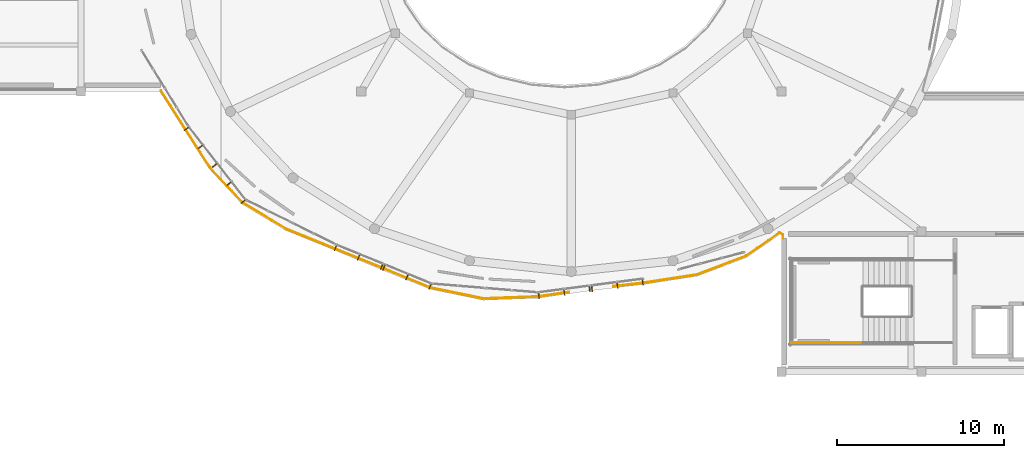
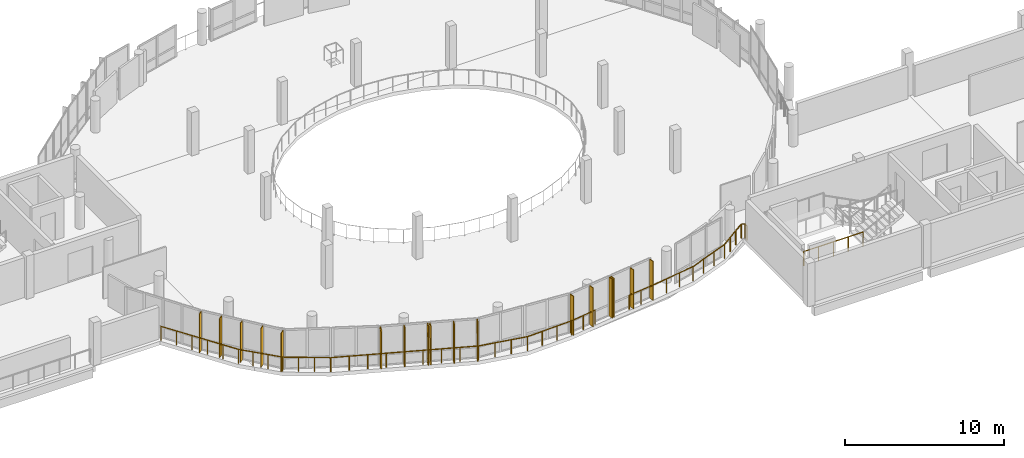
# One storey, part 35 of 43: 17 shading devices, 3 railings.
"""IFC4 building model written with IfcOpenShell, lengths in metres."""

from ifc_helpers import new_model, si_unit, derived_unit, direction, frame, origin, origin_2d, place, context, subcontext, project, spatial, rectangle, circle, extrude, material, type_object, element, save


model = new_model("IFC4")

# Units and contexts
model_context = context("Model", 3, precision=1e-05, world=origin(), true_north=direction((0.0, 1.0)))
body_context = subcontext(model_context, "Body", "Model", "MODEL_VIEW")
ifc_project = project(units=[si_unit("LENGTHUNIT", "METRE"), si_unit("AREAUNIT", "SQUARE_METRE"), si_unit("VOLUMEUNIT", "CUBIC_METRE"), si_unit("PLANEANGLEUNIT", "RADIAN"), si_unit("MASSUNIT", "GRAM", prefix="KILO"), derived_unit("THERMALTRANSMITTANCEUNIT", [(si_unit("POWERUNIT", "WATT"), 1), (si_unit("LENGTHUNIT", "METRE"), -2), (si_unit("THERMODYNAMICTEMPERATUREUNIT", "KELVIN"), -1)])], contexts=[model_context])

# Site, building, storey
site_placement = place(None, origin())
site = spatial("IfcSite", under=ifc_project, at=site_placement, CompositionType="ELEMENT")
building_placement = place(site_placement, origin())
building = spatial("IfcBuilding", under=site, at=building_placement, Name="Elbkamm Science Centre", CompositionType="ELEMENT")
storey_placement = place(building_placement, frame((0.0, 0.0, 18.300048828125)))
storey = spatial("IfcBuildingStorey", under=building, at=storey_placement, Name="L04", CompositionType="ELEMENT", Elevation=18.300048828125)

# Railings
ifc_material_1 = material(Name="Stainless steel EN 1.4401", Category="steel")
railing_type_1 = type_object("IfcRailingType", Name="RAIL-EXT-GUARD-1100", PredefinedType="GUARDRAIL", material=ifc_material_1)
railing_1_placement = place(storey_placement, frame((75.699951171875, 49.97998046875, 0.0)))
element("IfcRailing", 1, at=railing_1_placement, inside=storey, type_object=railing_type_1, Name="L04 Slab Edge Perimeter Guard 108", PredefinedType="GUARDRAIL", context=body_context, shape_type="SweptSolid", body=[
    extrude(circle(Radius=0.02392578125, at=origin_2d()), frame((0.0, 0.0, 1.078125), z_axis=(0.0, 1.0, 0.0), x_axis=(-1.0, 0.0, 0.0)), (0.0, 0.0, 1.0), 0.20556640625),
    extrude(circle(Radius=0.02392578125, at=origin_2d()), frame((-0.026123046875, 0.250244140625, 1.078125), z_axis=(-0.872453378568, 0.488697352382, 0.0), x_axis=(-0.488697352382, -0.872453378568, 0.0)), (0.0, 0.0, 1.0), 0.17724609375),
    extrude(circle(Radius=0.02392578125, at=origin_2d()), frame((-0.231689453125, 0.33447265625, 1.078125), z_axis=(-0.822095039338, -0.569350284356, 0.0), x_axis=(0.569350284356, -0.822095039338, 0.0)), (0.0, 0.0, 1.0), 2.3828125),
    extrude(circle(Radius=0.02392578125, at=origin_2d()), frame((-2.243408203125, -1.050048828125, 1.078125), z_axis=(-0.934426206718, -0.356156797208, 0.0), x_axis=(0.356156797208, -0.934426206718, 0.0)), (0.0, 0.0, 1.0), 3.083740234375),
    extrude(circle(Radius=0.02392578125, at=origin_2d()), frame((-5.182373046875, -2.16357421875, 1.078125), z_axis=(-0.988172714573, -0.153344990703, 0.0), x_axis=(0.153344990703, -0.988172714573, 0.0)), (0.0, 0.0, 1.0), 3.1591796875),
    extrude(circle(Radius=0.02392578125, at=origin_2d()), frame((-8.36376953125, -2.656005859375, 1.078125), z_axis=(-0.993449234887, -0.114274309022, 0.0), x_axis=(0.114274309022, -0.993449234887, 0.0)), (0.0, 0.0, 1.0), 1.824462890625),
    extrude(circle(Radius=0.02001953125, at=origin_2d()), origin(), (0.0, 0.0, 1.0), 1.048095703125),
    extrude(circle(Radius=0.02001953125, at=origin_2d()), frame((0.0, 0.235595703125, 0.0)), (0.0, 0.0, 1.0), 1.048095703125),
    extrude(circle(Radius=0.02001953125, at=origin_2d()), frame((-0.20703125, 0.3515625, 0.0)), (0.0, 0.0, 1.0), 1.048095703125),
    extrude(circle(Radius=0.02001953125, at=origin_2d()), frame((-0.87646484375, -0.112060546875, 0.0)), (0.0, 0.0, 1.0), 1.048095703125),
    extrude(circle(Radius=0.02001953125, at=origin_2d()), frame((-1.5458984375, -0.57568359375, 0.0)), (0.0, 0.0, 1.0), 1.048095703125),
    extrude(circle(Radius=0.02001953125, at=origin_2d()), frame((-2.21533203125, -1.039306640625, 0.0)), (0.0, 0.0, 1.0), 1.048095703125),
    extrude(circle(Radius=0.02001953125, at=origin_2d()), frame((-3.194580078125, -1.41259765625, 0.0)), (0.0, 0.0, 1.0), 1.048095703125),
    extrude(circle(Radius=0.02001953125, at=origin_2d()), frame((-4.173583984375, -1.78564453125, 0.0)), (0.0, 0.0, 1.0), 1.048095703125),
    extrude(circle(Radius=0.02001953125, at=origin_2d()), frame((-5.15283203125, -2.158935546875, 0.0)), (0.0, 0.0, 1.0), 1.048095703125),
    extrude(circle(Radius=0.02001953125, at=origin_2d()), frame((-6.213134765625, -2.323486328125, 0.0)), (0.0, 0.0, 1.0), 1.048095703125),
    extrude(circle(Radius=0.02001953125, at=origin_2d()), frame((-7.273681640625, -2.488037109375, 0.0)), (0.0, 0.0, 1.0), 1.048095703125),
    extrude(circle(Radius=0.02001953125, at=origin_2d()), frame((-8.333984375, -2.652587890625, 0.0)), (0.0, 0.0, 1.0), 1.048095703125),
    extrude(circle(Radius=0.02001953125, at=origin_2d()), frame((-9.255126953125, -2.758544921875, 0.0)), (0.0, 0.0, 1.0), 1.048095703125),
    extrude(circle(Radius=0.02001953125, at=origin_2d()), frame((-10.17626953125, -2.864501953125, 0.0)), (0.0, 0.0, 1.0), 1.048095703125),
])
railing_2_placement = place(storey_placement, frame((62.848876953125, 46.768310546875, 0.0)))
element("IfcRailing", 2, at=railing_2_placement, inside=storey, type_object=railing_type_1, Name="L04 Slab Edge Perimeter Guard 109", PredefinedType="GUARDRAIL", context=body_context, shape_type="SweptSolid", body=[
    extrude(circle(Radius=0.02392578125, at=origin_2d()), frame((0.0, 0.0, 1.078125), z_axis=(-0.989714039451, -0.143059848015, 0.0), x_axis=(0.143059848015, -0.989714039451, 0.0)), (0.0, 0.0, 1.0), 1.84716796875),
    extrude(circle(Radius=0.02392578125, at=origin_2d()), frame((-1.887939453125, -0.26953125, 1.078125), z_axis=(-0.999329322884, -0.03661836185, 0.0), x_axis=(0.03661836185, -0.999329322884, 0.0)), (0.0, 0.0, 1.0), 3.2001953125),
    extrude(circle(Radius=0.02392578125, at=origin_2d()), frame((-5.145263671875, -0.3818359375, 1.078125), z_axis=(-0.979495685035, 0.2014651409, 0.0), x_axis=(-0.2014651409, -0.979495685035, 0.0)), (0.0, 0.0, 1.0), 3.168212890625),
    extrude(circle(Radius=0.02392578125, at=origin_2d()), frame((-8.305908203125, 0.273681640625, 1.078125), z_axis=(-0.926209757619, 0.377008600554, 0.0), x_axis=(-0.377008600554, -0.926209757619, 0.0)), (0.0, 0.0, 1.0), 9.302001953125),
    extrude(circle(Radius=0.02392578125, at=origin_2d()), frame((-16.974853515625, 3.807373046875, 1.078125), z_axis=(-0.856214158233, 0.516621055746, 0.0), x_axis=(-0.516621055746, -0.856214158233, 0.0)), (0.0, 0.0, 1.0), 2.961669921875),
    extrude(circle(Radius=0.02392578125, at=origin_2d()), frame((-19.556884765625, 5.375, 1.078125), z_axis=(-0.681331213167, 0.731975257754, 0.0), x_axis=(-0.731975257754, -0.681331213167, 0.0)), (0.0, 0.0, 1.0), 2.83251953125),
    extrude(circle(Radius=0.02392578125, at=origin_2d()), frame((-21.523193359375, 7.49560546875, 1.078125), z_axis=(-0.538953749645, 0.842335358242, 0.0), x_axis=(-0.842335358242, -0.538953749645, 0.0)), (0.0, 0.0, 1.0), 5.4462890625),
    extrude(circle(Radius=0.02001953125, at=origin_2d()), origin(), (0.0, 0.0, 1.0), 1.048095703125),
    extrude(circle(Radius=0.02001953125, at=origin_2d()), frame((-0.928955078125, -0.13427734375, 0.0)), (0.0, 0.0, 1.0), 1.048095703125),
    extrude(circle(Radius=0.02001953125, at=origin_2d()), frame((-1.85791015625, -0.2685546875, 0.0)), (0.0, 0.0, 1.0), 1.048095703125),
    extrude(circle(Radius=0.02001953125, at=origin_2d()), frame((-2.94384765625, -0.308349609375, 0.0)), (0.0, 0.0, 1.0), 1.048095703125),
    extrude(circle(Radius=0.02001953125, at=origin_2d()), frame((-4.030029296875, -0.34814453125, 0.0)), (0.0, 0.0, 1.0), 1.048095703125),
    extrude(circle(Radius=0.02001953125, at=origin_2d()), frame((-5.115966796875, -0.387939453125, 0.0)), (0.0, 0.0, 1.0), 1.048095703125),
    extrude(circle(Radius=0.02001953125, at=origin_2d()), frame((-6.169921875, -0.171142578125, 0.0)), (0.0, 0.0, 1.0), 1.048095703125),
    extrude(circle(Radius=0.02001953125, at=origin_2d()), frame((-7.22412109375, 0.045654296875, 0.0)), (0.0, 0.0, 1.0), 1.048095703125),
    extrude(circle(Radius=0.02001953125, at=origin_2d()), frame((-8.278076171875, 0.262451171875, 0.0)), (0.0, 0.0, 1.0), 1.048095703125),
    extrude(circle(Radius=0.02001953125, at=origin_2d()), frame((-9.362060546875, 0.70361328125, 0.0)), (0.0, 0.0, 1.0), 1.048095703125),
    extrude(circle(Radius=0.02001953125, at=origin_2d()), frame((-10.44580078125, 1.144775390625, 0.0)), (0.0, 0.0, 1.0), 1.048095703125),
    extrude(circle(Radius=0.02001953125, at=origin_2d()), frame((-11.52978515625, 1.5859375, 0.0)), (0.0, 0.0, 1.0), 1.048095703125),
    extrude(circle(Radius=0.02001953125, at=origin_2d()), frame((-12.61376953125, 2.02734375, 0.0)), (0.0, 0.0, 1.0), 1.048095703125),
    extrude(circle(Radius=0.02001953125, at=origin_2d()), frame((-13.697509765625, 2.468505859375, 0.0)), (0.0, 0.0, 1.0), 1.048095703125),
    extrude(circle(Radius=0.02001953125, at=origin_2d()), frame((-14.781494140625, 2.90966796875, 0.0)), (0.0, 0.0, 1.0), 1.048095703125),
    extrude(circle(Radius=0.02001953125, at=origin_2d()), frame((-15.865234375, 3.350830078125, 0.0)), (0.0, 0.0, 1.0), 1.048095703125),
    extrude(circle(Radius=0.02001953125, at=origin_2d()), frame((-16.94921875, 3.7919921875, 0.0)), (0.0, 0.0, 1.0), 1.048095703125),
    extrude(circle(Radius=0.02001953125, at=origin_2d()), frame((-17.8115234375, 4.312255859375, 0.0)), (0.0, 0.0, 1.0), 1.048095703125),
    extrude(circle(Radius=0.02001953125, at=origin_2d()), frame((-18.674072265625, 4.832763671875, 0.0)), (0.0, 0.0, 1.0), 1.048095703125),
    extrude(circle(Radius=0.02001953125, at=origin_2d()), frame((-19.536376953125, 5.35302734375, 0.0)), (0.0, 0.0, 1.0), 1.048095703125),
    extrude(circle(Radius=0.02001953125, at=origin_2d()), frame((-20.193359375, 6.058837890625, 0.0)), (0.0, 0.0, 1.0), 1.048095703125),
    extrude(circle(Radius=0.02001953125, at=origin_2d()), frame((-20.85009765625, 6.764404296875, 0.0)), (0.0, 0.0, 1.0), 1.048095703125),
    extrude(circle(Radius=0.02001953125, at=origin_2d()), frame((-21.507080078125, 7.47021484375, 0.0)), (0.0, 0.0, 1.0), 1.048095703125),
    extrude(circle(Radius=0.02001953125, at=origin_2d()), frame((-22.097412109375, 8.392822265625, 0.0)), (0.0, 0.0, 1.0), 1.048095703125),
    extrude(circle(Radius=0.02001953125, at=origin_2d()), frame((-22.687744140625, 9.3154296875, 0.0)), (0.0, 0.0, 1.0), 1.048095703125),
    extrude(circle(Radius=0.02001953125, at=origin_2d()), frame((-23.27783203125, 10.23779296875, 0.0)), (0.0, 0.0, 1.0), 1.048095703125),
    extrude(circle(Radius=0.02001953125, at=origin_2d()), frame((-23.8681640625, 11.160400390625, 0.0)), (0.0, 0.0, 1.0), 1.048095703125),
    extrude(circle(Radius=0.02001953125, at=origin_2d()), frame((-24.45849609375, 12.0830078125, 0.0)), (0.0, 0.0, 1.0), 1.048095703125),
])
railing_type_2 = type_object("IfcRailingType", Name="RAIL-GUARD-1100", PredefinedType="GUARDRAIL", material=ifc_material_1)
railing_3_placement = place(storey_placement, frame((80.5, 43.72998046875, 1.64990234375)))
element("IfcRailing", 3, at=railing_3_placement, inside=storey, type_object=railing_type_2, Name="L04 ST-C2 stair guard 4", PredefinedType="GUARDRAIL", context=body_context, shape_type="SweptSolid", body=[
    extrude(circle(Radius=0.02392578125, at=origin_2d()), frame((0.0, 0.0, 1.078125), z_axis=(-1.0, 0.0, 0.0), x_axis=(0.0, -1.0, 0.0)), (0.0, 0.0, 1.0), 4.300048828125),
    extrude(circle(Radius=0.02001953125, at=origin_2d()), origin(), (0.0, 0.0, 1.0), 1.048095703125),
    extrude(circle(Radius=0.02001953125, at=origin_2d()), frame((-1.074951171875, 0.0, 0.0)), (0.0, 0.0, 1.0), 1.048095703125),
    extrude(circle(Radius=0.02001953125, at=origin_2d()), frame((-2.14990234375, 0.0, 0.0)), (0.0, 0.0, 1.0), 1.048095703125),
    extrude(circle(Radius=0.02001953125, at=origin_2d()), frame((-3.22509765625, 0.0, 0.0)), (0.0, 0.0, 1.0), 1.048095703125),
    extrude(circle(Radius=0.02001953125, at=origin_2d()), frame((-4.300048828125, 0.0, 0.0)), (0.0, 0.0, 1.0), 1.048095703125),
])

# Shading devices
ifc_material_2 = material(Name="Terracotta-ochre powder-coated aluminium EN AW-6060", Category="masonry")
shading_device_type = type_object("IfcShadingDeviceType", Name="SHD-LOUVRE-350", PredefinedType="USERDEFINED", material=ifc_material_2)
for number, where, z_axis, x_axis, name in (
    (4, (39.91845703125, 56.56298828125, 0.0), (0.0, 0.0, 1.0), (-0.788678648027, -0.614805652338, 0.0), "L04 Brise-Soleil Sunshade Fin 0146"),
    (5, (40.760498046875, 55.482666015625, 0.0), (0.0, 0.0, 1.0), (-0.788678648027, -0.614805652338, 0.0), "L04 Brise-Soleil Sunshade Fin 0147"),
    (6, (41.62109375, 54.378662109375, 0.0), (0.0, 0.0, 1.0), (-0.788678648027, -0.614805652338, 0.0), "L04 Brise-Soleil Sunshade Fin 0148"),
    (7, (42.48193359375, 53.274658203125, 0.0), (0.0, 0.0, 1.0), (-0.788678648027, -0.614805652338, 0.0), "L04 Brise-Soleil Sunshade Fin 0149"),
    (8, (43.32421875, 52.194091796875, 0.0), (0.0, 0.0, 1.0), (-0.788678648027, -0.614805652338, 0.0), "L04 Brise-Soleil Sunshade Fin 0150"),
    (9, (48.860595703125, 49.418701171875, 0.0), (0.0, 0.0, 1.0), (-0.37800076013, -0.925805284788, 0.0), "L04 Brise-Soleil Sunshade Fin 0151"),
    (10, (50.245849609375, 48.853271484375, 0.0), (0.0, 0.0, 1.0), (-0.37800076013, -0.925805284788, 0.0), "L04 Brise-Soleil Sunshade Fin 0152"),
    (11, (51.631103515625, 48.28759765625, 0.0), (0.0, 0.0, 1.0), (-0.37800076013, -0.925805284788, 0.0), "L04 Brise-Soleil Sunshade Fin 0153"),
    (12, (51.7607421875, 48.234619140625, 0.0), (0.0, 0.0, 1.0), (-0.37800076013, -0.925805284788, 0.0), "L04 Brise-Soleil Sunshade Fin 0154"),
    (13, (53.145751953125, 47.669189453125, 0.0), (0.0, 0.0, 1.0), (-0.37800076013, -0.925805284788, 0.0), "L04 Brise-Soleil Sunshade Fin 0155"),
    (14, (54.531005859375, 47.103515625, 0.0), (0.0, 0.0, 1.0), (-0.37800076013, -0.925805284788, 0.0), "L04 Brise-Soleil Sunshade Fin 0156"),
    (15, (61.054931640625, 46.560546875, 0.0), (0.0, 0.0, 1.0), (0.12875405744, -0.99167655649, 0.0), "L04 Brise-Soleil Sunshade Fin 0157"),
    (16, (62.577392578125, 46.75830078125, 0.0), (0.0, 0.0, 1.0), (0.12875405744, -0.99167655649, 0.0), "L04 Brise-Soleil Sunshade Fin 0158"),
    (17, (64.10009765625, 46.955810546875, 0.0), (0.0, 0.0, 1.0), (0.12875405744, -0.99167655649, 0.0), "L04 Brise-Soleil Sunshade Fin 0159"),
    (18, (64.239013671875, 46.973876953125, 0.0), (0.0, 0.0, 1.0), (0.12875405744, -0.99167655649, 0.0), "L04 Brise-Soleil Sunshade Fin 0160"),
    (19, (65.76171875, 47.17138671875, 0.0), (0.0, 0.0, 1.0), (0.12875405744, -0.99167655649, 0.0), "L04 Brise-Soleil Sunshade Fin 0161"),
    (20, (67.2841796875, 47.369140625, 0.0), (0.0, 0.0, 1.0), (0.12875405744, -0.99167655649, 0.0), "L04 Brise-Soleil Sunshade Fin 0162"),
):
    element("IfcShadingDevice", number, at=place(storey_placement, frame(where, z_axis=z_axis, x_axis=x_axis)), inside=storey, type_object=shading_device_type, Name=name, ObjectType="LOUVRE", PredefinedType="USERDEFINED", context=body_context, shape_type="SweptSolid", body=[
        extrude(rectangle(XDim=0.35009765625, YDim=0.050048828125, at=origin_2d()), origin(), (0.0, 0.0, 1.0), 2.989990234375),
    ])

save(model, "model.ifc")
